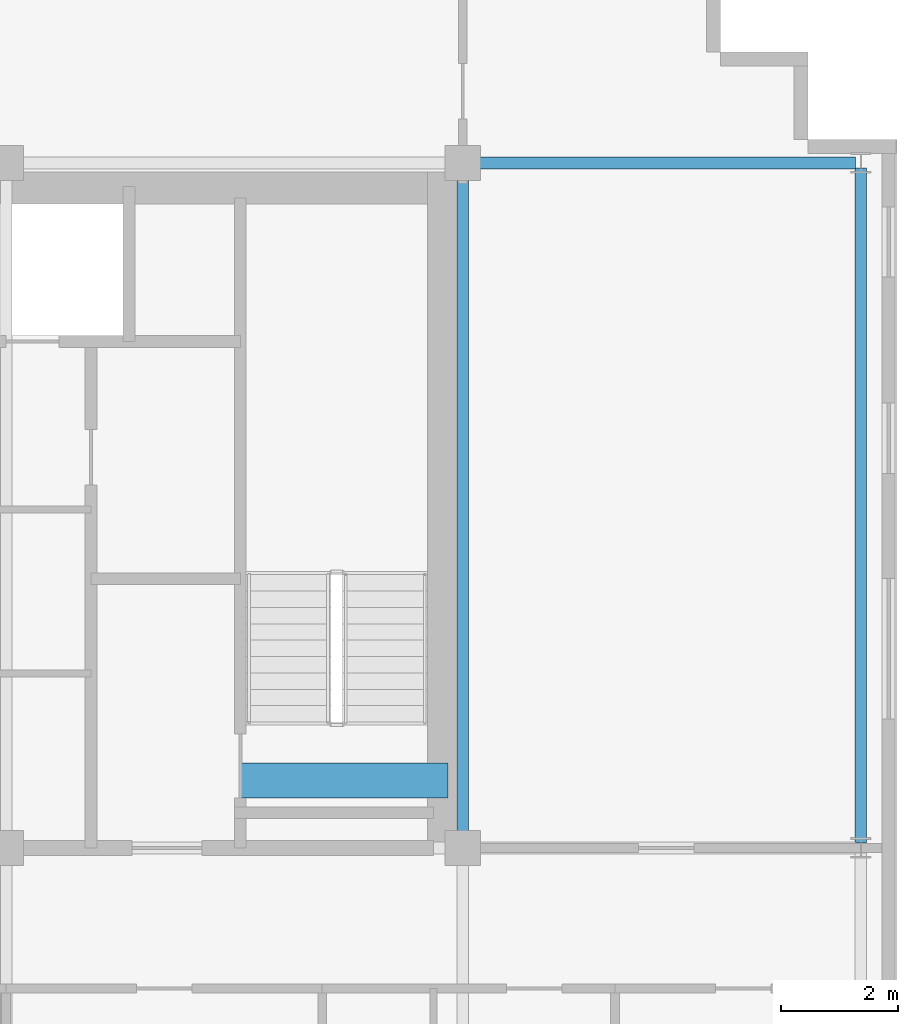
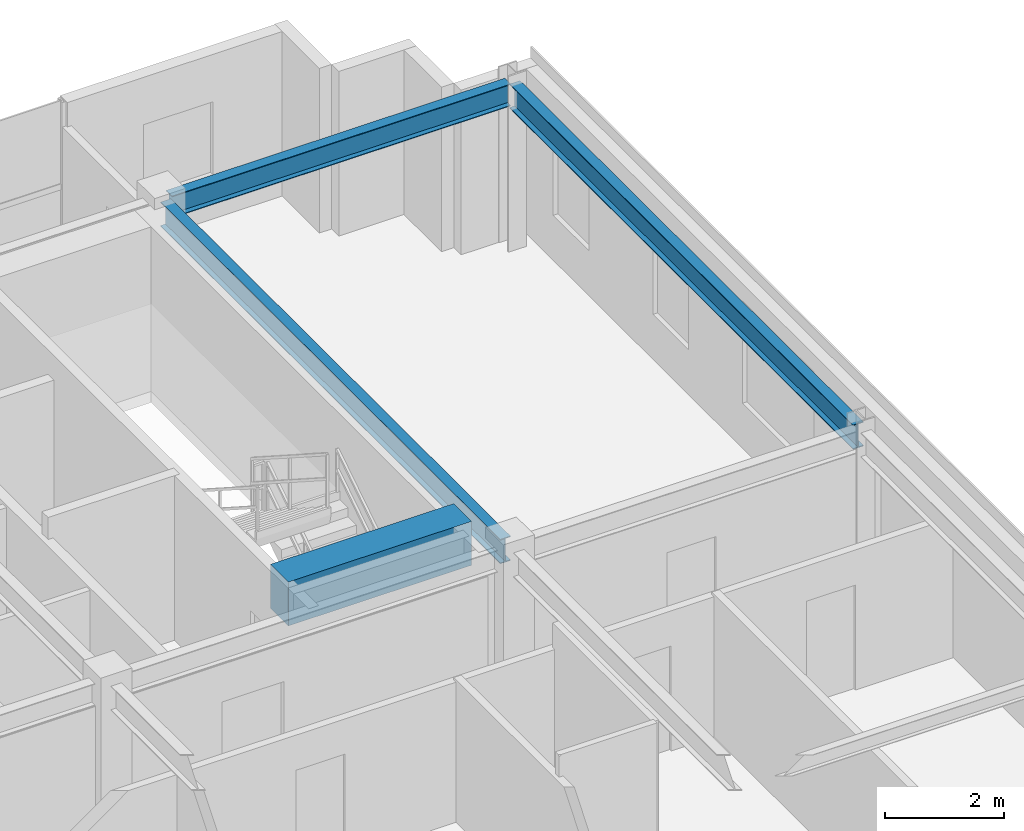
# One storey, part 13 of 23: 4 beams.
"""IFC4 building model written with IfcOpenShell, lengths in metres."""

from ifc_helpers import new_model, si_unit, direction, frame, origin, origin_2d, place, context, subcontext, project, spatial, rectangle, i_section, extrude, source, transform, mapped, material, material_profile, profile_set, type_object, element, save


model = new_model("IFC4")

# Units and contexts
model_context = context("Model", 3, precision=1e-05, world=origin(), true_north=direction((0.0, 1.0)))
body_context = subcontext(model_context, "Body", "Model", "MODEL_VIEW")
ifc_project = project(units=[si_unit("LENGTHUNIT", "METRE"), si_unit("AREAUNIT", "SQUARE_METRE"), si_unit("VOLUMEUNIT", "CUBIC_METRE"), si_unit("PLANEANGLEUNIT", "RADIAN"), si_unit("MASSUNIT", "GRAM", prefix="KILO")], contexts=[model_context])

# Site, building, storey
site_placement = place(None, origin())
site = spatial("IfcSite", under=ifc_project, at=site_placement, CompositionType="ELEMENT")
building_placement = place(site_placement, origin())
building = spatial("IfcBuilding", under=site, at=building_placement, Name="Trelvane Seafront Commons", CompositionType="ELEMENT")
storey_placement = place(building_placement, frame((0.0, 0.0, 259.5)))
storey = spatial("IfcBuildingStorey", under=building, at=storey_placement, Name="L67", CompositionType="ELEMENT", Elevation=259.5)

# Beams
ifc_material_1 = material(Name="Concrete C60/75", Category="concrete")
ifc_material_profile_1 = material_profile(ifc_material_1, rectangle(XDim=0.60009765625, YDim=0.89990234375, at=origin_2d()), Name="RC-600x900")
ifc_profile_set_1 = profile_set([ifc_material_profile_1], Name="Concrete C60/75")
beam_type_1 = type_object("IfcBeamType", Name="STR-LNT-RC600x900", PredefinedType="LINTEL", material=ifc_profile_set_1)
shared_shape_1 = source(origin(), body_context, "Body", "SweptSolid", [
    extrude(rectangle(XDim=0.60009765625, YDim=0.89990234375, at=origin_2d()), origin(), (0.0, 0.0, 1.0), 3.550048828125),
])
beam_1_placement = place(storey_placement, frame((55.0, 34.550048828125, 2.919921875), z_axis=(1.0, 0.0, 0.0), x_axis=(0.0, 1.0, 0.0)))
element("IfcBeam", 1, at=beam_1_placement, inside=storey, type_object=beam_type_1, Name="L67 Core Coupling Lintel Beam CB-68", PredefinedType="LINTEL", context=body_context, shape_type="MappedRepresentation", body=[
    mapped(shared_shape_1, transform((0.0, 0.0, 0.0), x_axis=(1.0, 0.0, 0.0), y_axis=(0.0, 1.0, 0.0), z_axis=(0.0, 0.0, 1.0), scale=1.0)),
])
ifc_material_2 = material(Name="Steel SM355 (S355)", Category="steel")
ifc_material_profile_2 = material_profile(ifc_material_2, i_section(OverallWidth=0.199951171875, OverallDepth=0.5, WebThickness=0.010009765625, FlangeThickness=0.01611328125, at=origin_2d()), Name="H-500x200x10x16")
ifc_profile_set_2 = profile_set([ifc_material_profile_2], Name="Steel SM355 (S355)")
beam_type_2 = type_object("IfcBeamType", Name="STR-BM-H500", PredefinedType="BEAM", material=ifc_profile_set_2)
shared_shape_2 = source(origin(), body_context, "Body", "SweptSolid", [
    extrude(i_section(OverallWidth=0.199951171875, OverallDepth=0.5, WebThickness=0.010009765625, FlangeThickness=0.01611328125, at=origin_2d()), origin(), (0.0, 0.0, 1.0), 11.39990234375),
])
beam_2_placement = place(storey_placement, frame((58.800048828125, 33.550048828125, 3.1201171875), z_axis=(0.0, 1.0, 0.0), x_axis=(-1.0, 0.0, 0.0)))
element("IfcBeam", 2, at=beam_2_placement, inside=storey, type_object=beam_type_2, Name="L67 Primary Girder G-49", PredefinedType="BEAM", context=body_context, shape_type="MappedRepresentation", body=[
    mapped(shared_shape_2, transform((0.0, 0.0, 0.0), x_axis=(1.0, 0.0, 0.0), y_axis=(0.0, 1.0, 0.0), z_axis=(0.0, 0.0, 1.0), scale=1.0)),
])
ifc_material_profile_3 = material_profile(ifc_material_2, i_section(OverallWidth=0.199951171875, OverallDepth=0.449951171875, WebThickness=0.009033203125, FlangeThickness=0.013916015625, at=origin_2d()), Name="H-450x200x9x14")
ifc_profile_set_3 = profile_set([ifc_material_profile_3], Name="Steel SM355 (S355)")
beam_type_3 = type_object("IfcBeamType", Name="STR-SPD-H450", PredefinedType="SPANDREL", material=ifc_profile_set_3)
shared_shape_3 = source(origin(), body_context, "Body", "SweptSolid", [
    extrude(i_section(OverallWidth=0.199951171875, OverallDepth=0.449951171875, WebThickness=0.009033203125, FlangeThickness=0.013916015625, at=origin_2d()), origin(), (0.0, 0.0, 1.0), 6.5625),
])
beam_3_placement = place(storey_placement, frame((58.949951171875, 45.10009765625, 3.14501953125), z_axis=(1.0, 0.0, 0.0), x_axis=(0.0, 1.0, 0.0)))
element("IfcBeam", 3, at=beam_3_placement, inside=storey, type_object=beam_type_3, Name="L67 Primary Girder G-28", PredefinedType="SPANDREL", context=body_context, shape_type="MappedRepresentation", body=[
    mapped(shared_shape_3, transform((0.0, 0.0, 0.0), x_axis=(1.0, 0.0, 0.0), y_axis=(0.0, 1.0, 0.0), z_axis=(0.0, 0.0, 1.0), scale=1.0)),
])
shared_shape_4 = source(origin(), body_context, "Body", "SweptSolid", [
    extrude(i_section(OverallWidth=0.199951171875, OverallDepth=0.5, WebThickness=0.010009765625, FlangeThickness=0.01611328125, at=origin_2d()), origin(), (0.0, 0.0, 1.0), 11.52490234375),
])
beam_4_placement = place(storey_placement, frame((65.60009765625, 33.487548828125, 3.1201171875), z_axis=(0.0, 1.0, 0.0), x_axis=(-1.0, 0.0, 0.0)))
element("IfcBeam", 4, at=beam_4_placement, inside=storey, type_object=beam_type_2, Name="L67 Primary Girder G-52", PredefinedType="BEAM", context=body_context, shape_type="MappedRepresentation", body=[
    mapped(shared_shape_4, transform((0.0, 0.0, 0.0), x_axis=(1.0, 0.0, 0.0), y_axis=(0.0, 1.0, 0.0), z_axis=(0.0, 0.0, 1.0), scale=1.0)),
])

save(model, "model.ifc")
